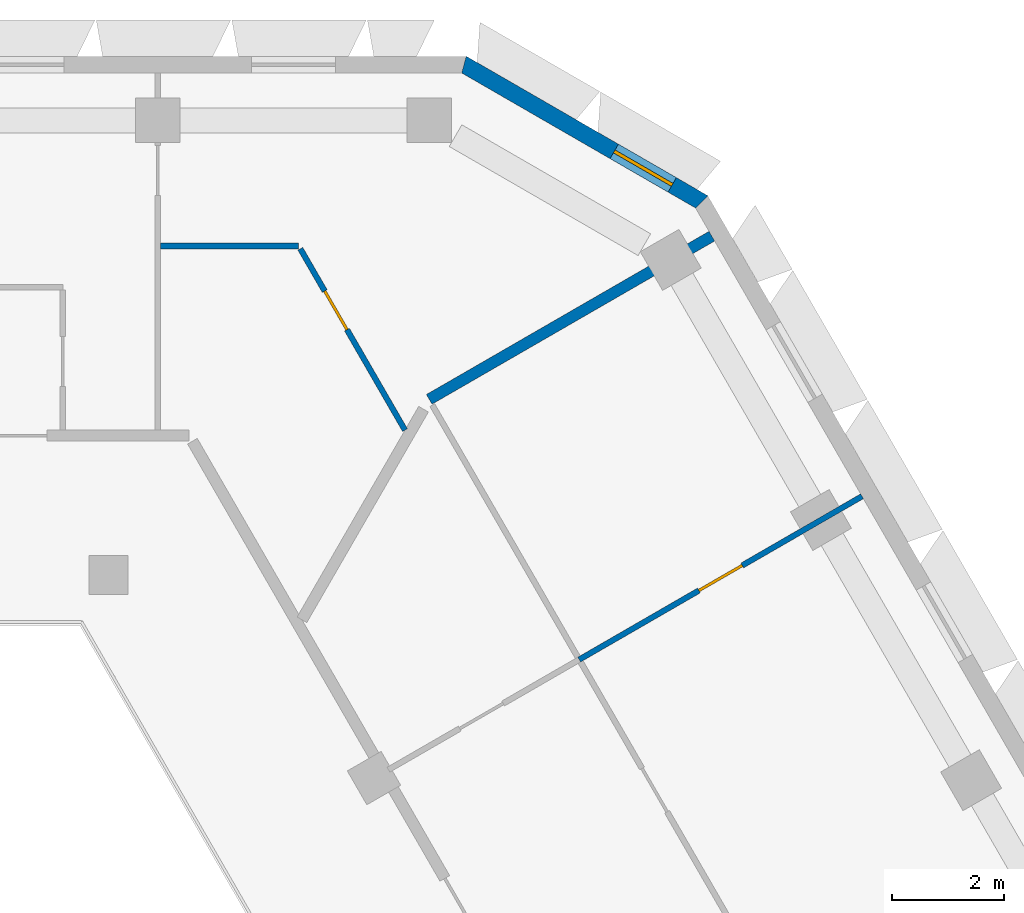
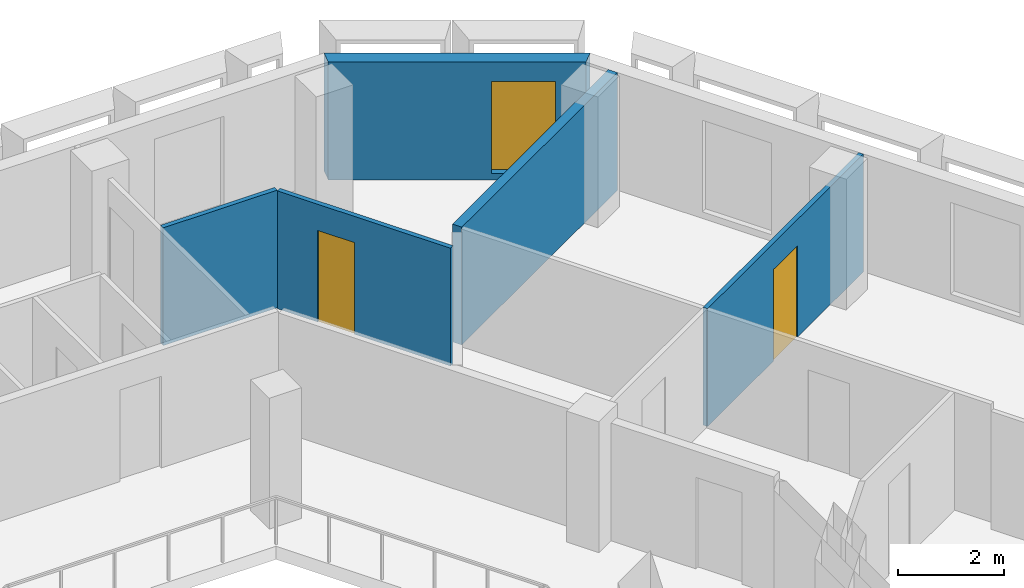
# One storey, part 8 of 15: 5 walls, 2 doors, 1 window, 3 openings.
"""IFC4 building model written with IfcOpenShell, lengths in metres."""

import ifcopenshell
import ifcopenshell.guid

model = None  # the IFC model being written
_history = None  # IfcOwnerHistory: only IFC2X3 demands one
_inside = {}  # id of a spatial element -> (the spatial element, [elements in it])
_under = {}  # id of a project, library or spatial element -> (it, [spatial elements below it])
_declared = {}  # id of a project -> (the project, [libraries it declares])
_typed = {}  # id of a type object -> (the type object, [elements of that type])
_made_of = {}  # id of a material, layer set ... -> (it, [elements and type objects made of it])


def new_model(schema):
    """Start an empty IFC model of exactly this schema.

    Asked for "IFC4X3", IfcOpenShell would pick the latest addendum, in which some entities
    have other attributes; the version numbers below select the first issue.
    IFC2X3 requires an IfcOwnerHistory on every rooted entity: one is made here for all.
    """
    global model, _history
    if schema == "IFC4X3":
        model = ifcopenshell.file(schema_version=(4, 3, 0, 0))
    else:
        model = ifcopenshell.file(schema=schema)
    _inside.clear()
    _under.clear()
    _declared.clear()
    _typed.clear()
    _made_of.clear()
    _history = None
    if model.schema == "IFC2X3":
        org = make("IfcOrganization", Name="unknown")
        user = make(
            "IfcPersonAndOrganization",
            ThePerson=make("IfcPerson", FamilyName="unknown"),
            TheOrganization=org,
        )
        app = make(
            "IfcApplication",
            ApplicationDeveloper=org,
            Version="unknown",
            ApplicationFullName="unknown",
            ApplicationIdentifier="unknown",
        )
        _history = make(
            "IfcOwnerHistory",
            OwningUser=user,
            OwningApplication=app,
            ChangeAction="ADDED",
            CreationDate=0,
        )
    return model


def make(cls, **values):
    """One entity of the class cls with the attributes given. An attribute that is None is left unset."""
    return model.create_entity(
        cls, **{name: value for name, value in values.items() if value is not None}
    )


def rooted(cls, **values):
    """An entity with a GlobalId (a new one), such as an element, a storey or a relation."""
    return make(cls, GlobalId=ifcopenshell.guid.new(), OwnerHistory=_history, **values)


def si_unit(unit_type, name, prefix=None):
    """IfcSIUnit, for example si_unit("LENGTHUNIT", "METRE", prefix="MILLI")."""
    return make("IfcSIUnit", UnitType=unit_type, Prefix=prefix, Name=name)


def assignment(units):
    """IfcUnitAssignment: the units of a project."""
    return None if units is None else make("IfcUnitAssignment", Units=units)


def point(xyz):
    """IfcCartesianPoint."""
    return None if xyz is None else make("IfcCartesianPoint", Coordinates=xyz)


def direction(xyz):
    """IfcDirection."""
    return None if xyz is None else make("IfcDirection", DirectionRatios=xyz)


def frame(location, z_axis=None, x_axis=None):
    """IfcAxis2Placement3D, a coordinate frame: its origin and axes. An axis left out is left unset."""
    return make(
        "IfcAxis2Placement3D",
        Location=point(location),
        Axis=direction(z_axis),
        RefDirection=direction(x_axis),
    )


def frame_2d(location, x_axis=None):
    """IfcAxis2Placement2D, a coordinate frame in the plane: its origin and x axis."""
    return make(
        "IfcAxis2Placement2D", Location=point(location), RefDirection=direction(x_axis)
    )


def origin():
    """The frame at (0, 0, 0) with its axes left unset."""
    return frame((0.0, 0.0, 0.0))


def place(relative_to, where):
    """IfcLocalPlacement: puts the frame where relative to a parent placement (None: the world)."""
    return make(
        "IfcLocalPlacement", PlacementRelTo=relative_to, RelativePlacement=where
    )


def context(
    kind, dimensions, precision=None, world=None, true_north=None, identifier=None
):
    """IfcGeometricRepresentationContext, for example the 3D "Model" context."""
    return make(
        "IfcGeometricRepresentationContext",
        ContextIdentifier=identifier,
        ContextType=kind,
        CoordinateSpaceDimension=dimensions,
        Precision=precision,
        WorldCoordinateSystem=world,
        TrueNorth=true_north,
    )


def subcontext(parent, identifier, kind, view, scale=None):
    """IfcGeometricRepresentationSubContext, for example "Body" below "Model"."""
    return make(
        "IfcGeometricRepresentationSubContext",
        ContextIdentifier=identifier,
        ContextType=kind,
        ParentContext=parent,
        TargetScale=scale,
        TargetView=view,
    )


def project(units=None, contexts=None):
    """IfcProject with its units and contexts."""
    return rooted(
        "IfcProject",
        Name="project",
        RepresentationContexts=contexts,
        UnitsInContext=assignment(units),
    )


def spatial(cls, under=None, at=None, **own):
    """A site, building, storey or space (cls), placed at a placement, below another one or the project."""
    s = rooted(cls, ObjectPlacement=at, **own)
    if under is not None:
        _under.setdefault(under.id(), (under, []))[1].append(s)
    return s


def polyline(points):
    """IfcPolyline through the points."""
    return make("IfcPolyline", Points=[point(p) for p in points])


def profile(cls, at=None, kind="AREA", **sizes):
    """A parametric profile (cls). Its sizes go by their IFC names, for example OverallWidth=200.0."""
    return make(cls, ProfileType=kind, Position=at, **sizes)


def rectangle(**sizes):
    """IfcRectangleProfileDef."""
    return profile("IfcRectangleProfileDef", **sizes)


def outline(outer, holes=None, kind="AREA"):
    """IfcArbitraryClosedProfileDef: a profile drawn as a closed curve; with holes, ...WithVoids."""
    if holes is None:
        return make("IfcArbitraryClosedProfileDef", ProfileType=kind, OuterCurve=outer)
    return make(
        "IfcArbitraryProfileDefWithVoids",
        ProfileType=kind,
        OuterCurve=outer,
        InnerCurves=holes,
    )


def extrude(swept, where, along, depth):
    """IfcExtrudedAreaSolid: the profile swept, set in the frame where, extruded along a direction by depth."""
    return make(
        "IfcExtrudedAreaSolid",
        SweptArea=swept,
        Position=where,
        ExtrudedDirection=direction(along),
        Depth=depth,
    )


def shape(context_of_items, identifier, shape_type, items):
    """IfcShapeRepresentation: the items that make up one representation, for example the "Body"."""
    return make(
        "IfcShapeRepresentation",
        ContextOfItems=context_of_items,
        RepresentationIdentifier=identifier,
        RepresentationType=shape_type,
        Items=items,
    )


def material(Name=None, Category=None):
    """IfcMaterial."""
    return make("IfcMaterial", Name=Name, Category=Category)


def layer(
    of_material, thickness, ventilated=None, Name=None, Category=None, Priority=None
):
    """IfcMaterialLayer: one layer of a wall or slab, of a material (None: an air gap)."""
    return make(
        "IfcMaterialLayer",
        Material=of_material,
        LayerThickness=thickness,
        IsVentilated=ventilated,
        Name=Name,
        Category=Category,
        Priority=Priority,
    )


def layer_set(layers, Name=None):
    """IfcMaterialLayerSet."""
    return make("IfcMaterialLayerSet", MaterialLayers=layers, LayerSetName=Name)


def made_of(thing, what):
    """Note that an element or type object is made of a material, layer set ...; save() writes the relation."""
    if what is not None:
        _made_of.setdefault(what.id(), (what, []))[1].append(thing)
    return thing


def type_object(cls, material=None, **own):
    """A type object (cls), such as IfcWallType, which elements share."""
    return made_of(rooted(cls, **own), material)


def element(
    cls,
    number,
    at=None,
    inside=None,
    cuts=None,
    type_object=None,
    material=None,
    context=None,
    identifier="Body",
    shape_type=None,
    held_by="IfcProductDefinitionShape",
    body=None,
    shapes=None,
    **own,
):
    """One element of the class cls, such as IfcWall. Its Tag is "e" and its number.

    at: its placement. inside: the storey or other place that contains it. cuts: it is an
    opening in that element (IfcRelVoidsElement). A single representation is given by context,
    identifier, shape_type and body (its items); several are given by shapes. held_by: the class
    of the entity that holds the representations. save() writes the other relations.
    """
    e = rooted(cls, Tag="e%d" % number, ObjectPlacement=at, **own)
    if body is not None:
        shapes = [shape(context, identifier, shape_type, body)]
    if shapes is not None:
        e.Representation = make(held_by, Representations=shapes)
    if inside is not None:
        _inside.setdefault(inside.id(), (inside, []))[1].append(e)
    if cuts is not None:
        rooted(
            "IfcRelVoidsElement", RelatingBuildingElement=cuts, RelatedOpeningElement=e
        )
    if type_object is not None:
        _typed.setdefault(type_object.id(), (type_object, []))[1].append(e)
    return made_of(e, material)


def fill(opening, filler):
    """IfcRelFillsElement: the door or window that sits in an opening."""
    return rooted(
        "IfcRelFillsElement",
        RelatingOpeningElement=opening,
        RelatedBuildingElement=filler,
    )


def aggregate(whole, parts):
    """IfcRelAggregates: a whole, such as a stair, and the parts it consists of."""
    return rooted("IfcRelAggregates", RelatingObject=whole, RelatedObjects=parts)


def save(model, path):
    """Write the relations noted so far, then the file.

    IfcRelAggregates (storeys below a building ...), IfcRelContainedInSpatialStructure (elements
    in a storey), IfcRelDefinesByType, IfcRelAssociatesMaterial and IfcRelDeclares: one each for
    every whole, place, type object, material and project.
    """
    for whole, parts in _under.values():
        aggregate(whole, parts)
    for where, things in _inside.values():
        rooted(
            "IfcRelContainedInSpatialStructure",
            RelatedElements=things,
            RelatingStructure=where,
        )
    for kind, things in _typed.values():
        rooted("IfcRelDefinesByType", RelatedObjects=things, RelatingType=kind)
    for what, things in _made_of.values():
        rooted("IfcRelAssociatesMaterial", RelatedObjects=things, RelatingMaterial=what)
    for by, libraries in _declared.values():
        rooted("IfcRelDeclares", RelatingContext=by, RelatedDefinitions=libraries)
    model.write(path)


model = new_model("IFC4")

# Units and contexts
model_context = context("Model", 3, precision=1e-05, world=origin(), true_north=direction((0.0, 1.0)))
body_context = subcontext(model_context, "Body", "Model", "MODEL_VIEW")
ifc_project = project(units=[si_unit("LENGTHUNIT", "METRE"), si_unit("AREAUNIT", "SQUARE_METRE"), si_unit("VOLUMEUNIT", "CUBIC_METRE"), si_unit("PLANEANGLEUNIT", "RADIAN"), si_unit("MASSUNIT", "GRAM", prefix="KILO")], contexts=[model_context])

# Site, building, storey
site_placement = place(None, origin())
site = spatial("IfcSite", under=ifc_project, at=site_placement, CompositionType="ELEMENT")
building_placement = place(site_placement, origin())
building = spatial("IfcBuilding", under=site, at=building_placement, Name="Beryl Residences", CompositionType="ELEMENT")
storey_placement = place(building_placement, frame((0.0, 0.0, 163.199951171875)))
storey = spatial("IfcBuildingStorey", under=building, at=storey_placement, Name="L49", CompositionType="ELEMENT", Elevation=163.199951171875)

# Wall, opening, window
ifc_material_1 = material(Name="Composite metal panel with mineral wool insulation")
ifc_layer_1 = layer(ifc_material_1, 0.300048828125)
ifc_layer_set_1 = layer_set([ifc_layer_1], Name="ES1 pale metal composite panel wall 300 mm")
wall_type_1 = type_object("IfcWallType", Name="ES1 pale metal composite panel wall 300 mm", PredefinedType="SOLIDWALL", material=ifc_layer_set_1)
wall_1_placement = place(storey_placement, frame((14.64697265625, 21.570068359375, 0.0), z_axis=(0.0, 0.0, 1.0), x_axis=(-0.866022959057, 0.500004234368, 0.0)))
wall_1 = element("IfcWall", 1, at=wall_1_placement, inside=storey, type_object=wall_type_1, Name="ES1 external wall L49 NE-N", PredefinedType="SOLIDWALL", context=body_context, shape_type="SweptSolid", body=[
    extrude(outline(polyline([(0.0, -0.14990234375), (5.0, -0.14990234375), (4.919677734375, 0.14990234375), (0.080322265625, 0.14990234375), (0.0, -0.14990234375)])), origin(), (0.0, 0.0, 1.0), 2.699951171875),
])
opening_1_placement = place(wall_1_placement, frame((0.64990234375, 0.0, 0.14990234375)))
opening_1 = element("IfcOpeningElement", 2, at=opening_1_placement, cuts=wall_1, Name="Opening W2", PredefinedType="OPENING", context=body_context, shape_type="SweptSolid", body=[
    extrude(rectangle(XDim=1.199951171875, YDim=2.10009765625, at=frame_2d((0.60009765625, 1.050048828125))), frame((0.0, 0.159912109375, 0.0), z_axis=(0.0, -1.0, 0.0), x_axis=(1.0, 0.0, 0.0)), (0.0, 0.0, 1.0), 0.320068359375),
])
ifc_material_2 = material(Name="Aluminium and clear glass", Category="aluminium")
window_type = type_object("IfcWindowType", Name="W2 chamfer window 1200 x 2100 mm", PartitioningType="SINGLE_PANEL", PredefinedType="WINDOW", material=ifc_material_2)
window_placement = place(opening_1_placement, origin())
window = element("IfcWindow", 3, at=window_placement, inside=storey, type_object=window_type, Name="W2 window L49 NE-N 1", OverallHeight=2.10009765625, OverallWidth=1.199951171875, PartitioningType="SINGLE_PANEL", PredefinedType="WINDOW", context=body_context, shape_type="SweptSolid", body=[
    extrude(rectangle(XDim=1.199951171875, YDim=2.10009765625, at=frame_2d((0.60009765625, 1.050048828125))), frame((0.0, 0.030029296875, 0.0), z_axis=(0.0, -1.0, 0.0), x_axis=(1.0, 0.0, 0.0)), (0.0, 0.0, 1.0), 0.06005859375),
])
fill(opening_1, window)

# Wall, opening, door
ifc_material_3 = material(Name="Gypsum board partition on steel studs", Category="steel")
ifc_layer_2 = layer(ifc_material_3, 0.10009765625)
ifc_layer_set_2 = layer_set([ifc_layer_2], Name="PT1 partition 100 mm gypsum board on steel studs")
wall_type_2 = type_object("IfcWallType", Name="PT1 partition 100 mm gypsum board on steel studs", PredefinedType="PARTITIONING", material=ifc_layer_set_2)
wall_2_placement = place(storey_placement, frame((7.4189453125, 20.7490234375, 0.0), z_axis=(0.0, 0.0, 1.0), x_axis=(0.499917691695, -0.866072919292, 0.0)))
wall_2 = element("IfcWall", 4, at=wall_2_placement, inside=storey, type_object=wall_type_2, Name="Wall PT1 L49 002", PredefinedType="PARTITIONING", context=body_context, shape_type="SweptSolid", body=[
    extrude(rectangle(XDim=3.752685546875, YDim=0.10009765625, at=frame_2d((1.87646484375, 0.0))), origin(), (0.0, 0.0, 1.0), 2.699951171875),
])
opening_2_placement = place(wall_2_placement, frame((0.8740234375, 0.0, 0.0)))
opening_2 = element("IfcOpeningElement", 5, at=opening_2_placement, cuts=wall_2, Name="Opening D1629", PredefinedType="OPENING", context=body_context, shape_type="SweptSolid", body=[
    extrude(rectangle(XDim=0.800048828125, YDim=2.10009765625, at=frame_2d((0.39990234375, 1.050048828125))), frame((0.0, 0.06005859375, 0.0), z_axis=(0.0, -1.0, 0.0), x_axis=(1.0, 0.0, 0.0)), (0.0, 0.0, 1.0), 0.1201171875),
])
ifc_material_4 = material(Name="Timber door leaf", Category="wood")
door_type_1 = type_object("IfcDoorType", Name="D3 bathroom door 800 x 2100 mm", OperationType="SINGLE_SWING_LEFT", PredefinedType="DOOR", material=ifc_material_4)
door_1_placement = place(opening_2_placement, origin())
door_1 = element("IfcDoor", 6, at=door_1_placement, inside=storey, type_object=door_type_1, Name="Door D1629 L49 001", OperationType="SINGLE_SWING_LEFT", OverallHeight=2.10009765625, OverallWidth=0.800048828125, PredefinedType="DOOR", context=body_context, shape_type="SweptSolid", body=[
    extrude(rectangle(XDim=0.800048828125, YDim=2.10009765625, at=frame_2d((0.39990234375, 1.050048828125))), frame((0.0, 0.02490234375, 0.0), z_axis=(0.0, -1.0, 0.0), x_axis=(1.0, 0.0, 0.0)), (0.0, 0.0, 1.0), 0.050048828125),
])
fill(opening_2, door_1)

# Wall
wall_3_placement = place(storey_placement, frame((4.9140625, 20.799072265625, 0.0), z_axis=(0.0, 0.0, 1.0), x_axis=(1.0, 0.0, 0.0)))
element("IfcWall", 7, at=wall_3_placement, inside=storey, type_object=wall_type_2, Name="Wall PT1 L49 024", PredefinedType="PARTITIONING", context=body_context, shape_type="SweptSolid", body=[
    extrude(rectangle(XDim=2.474853515625, YDim=0.10009765625, at=frame_2d((1.2373046875, 0.0))), origin(), (0.0, 0.0, 1.0), 2.699951171875),
])

# Wall, opening, door
wall_4_placement = place(storey_placement, frame((12.4169921875, 13.385986328125, 0.0), z_axis=(0.0, 0.0, 1.0), x_axis=(0.86599873886, 0.50004618216, 0.0)))
wall_4 = element("IfcWall", 8, at=wall_4_placement, inside=storey, type_object=wall_type_2, Name="Wall PT1 L49 045", PredefinedType="PARTITIONING", context=body_context, shape_type="SweptSolid", body=[
    extrude(rectangle(XDim=5.853515625, YDim=0.10009765625, at=frame_2d((2.9267578125, 0.0))), origin(), (0.0, 0.0, 1.0), 2.699951171875),
])
opening_3_placement = place(wall_4_placement, frame((2.47607421875, 0.0, 0.0)))
opening_3 = element("IfcOpeningElement", 9, at=opening_3_placement, cuts=wall_4, Name="Opening D1620", PredefinedType="OPENING", context=body_context, shape_type="SweptSolid", body=[
    extrude(rectangle(XDim=0.89990234375, YDim=2.10009765625, at=frame_2d((0.449951171875, 1.050048828125))), frame((0.0, 0.06005859375, 0.0), z_axis=(0.0, -1.0, 0.0), x_axis=(1.0, 0.0, 0.0)), (0.0, 0.0, 1.0), 0.1201171875),
])
ifc_material_5 = material(Name="Timber door leaf", Category="wood")
door_type_2 = type_object("IfcDoorType", Name="D2 room door 900 x 2100 mm", OperationType="SINGLE_SWING_LEFT", PredefinedType="DOOR", material=ifc_material_5)
door_2_placement = place(opening_3_placement, origin())
door_2 = element("IfcDoor", 10, at=door_2_placement, inside=storey, type_object=door_type_2, Name="Door D1620 L49 001", OperationType="SINGLE_SWING_RIGHT", OverallHeight=2.10009765625, OverallWidth=0.89990234375, PredefinedType="DOOR", context=body_context, shape_type="SweptSolid", body=[
    extrude(rectangle(XDim=0.89990234375, YDim=2.10009765625, at=frame_2d((0.449951171875, 1.050048828125))), frame((0.0, 0.02490234375, 0.0), z_axis=(0.0, -1.0, 0.0), x_axis=(1.0, 0.0, 0.0)), (0.0, 0.0, 1.0), 0.050048828125),
])
fill(opening_3, door_2)

# Wall
ifc_material_6 = material(Name="Acoustic double stud gypsum board wall")
ifc_layer_3 = layer(ifc_material_6, 0.199951171875)
ifc_layer_set_3 = layer_set([ifc_layer_3], Name="PT3 party wall 200 mm acoustic double stud")
wall_type_3 = type_object("IfcWallType", Name="PT3 party wall 200 mm acoustic double stud", PredefinedType="PARTITIONING", material=ifc_layer_set_3)
wall_5_placement = place(storey_placement, frame((9.72900390625, 18.051025390625, 0.0), z_axis=(0.0, 0.0, 1.0), x_axis=(0.866038213712, 0.499977811898, 0.0)))
element("IfcWall", 11, at=wall_5_placement, inside=storey, type_object=wall_type_3, Name="Wall PT3 L49 012", PredefinedType="PARTITIONING", context=body_context, shape_type="SweptSolid", body=[
    extrude(rectangle(XDim=5.848388671875, YDim=0.199951171875, at=frame_2d((2.92431640625, 0.0))), origin(), (0.0, 0.0, 1.0), 2.699951171875),
])

save(model, "model.ifc")
